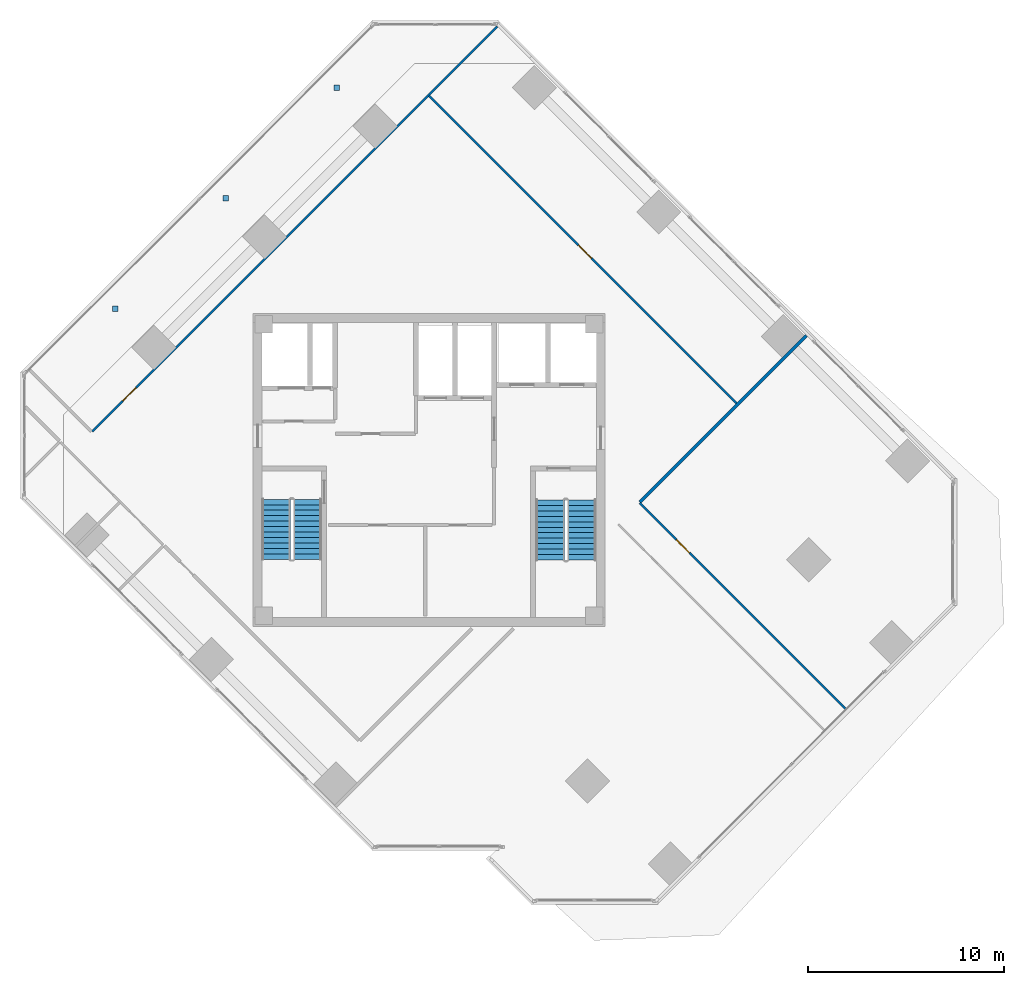
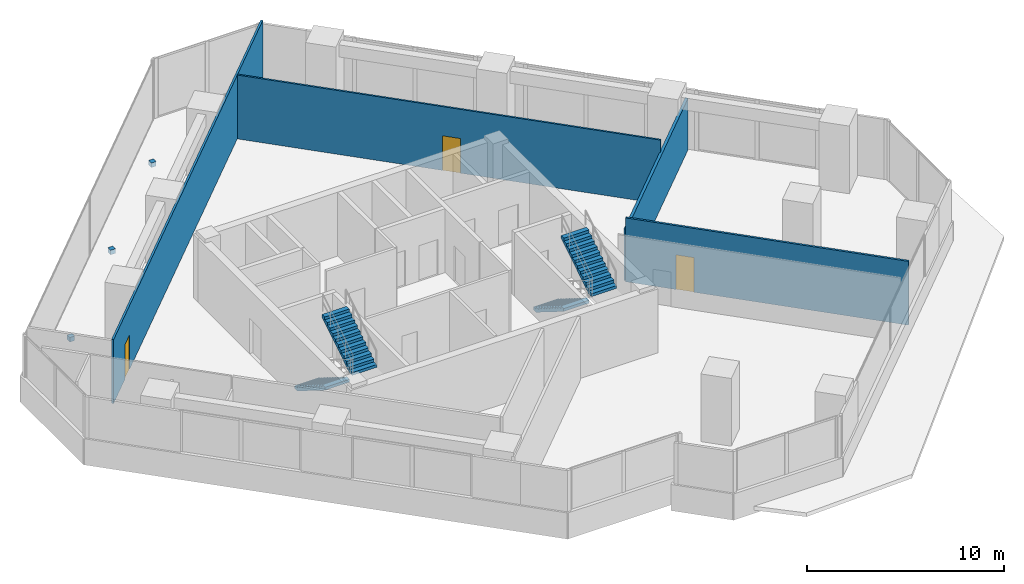
# One storey, part 14 of 17: 4 stair flights, 4 walls, 3 discrete accessories, 3 doors, 3 openings, 2 elements without a shape of their own.
"""IFC4 building model written with IfcOpenShell, lengths in metres."""

from ifc_helpers import new_model, si_unit, direction, frame, frame_2d, origin, origin_2d, place, context, subcontext, project, spatial, polyline, rectangle, outline, extrude, source, transform, mapped, material, layer, layer_set, type_object, element, fill, aggregate, save


model = new_model("IFC4")

# Units and contexts
model_context = context("Model", 3, precision=1e-05, world=origin(), true_north=direction((0.0, 1.0)))
body_context = subcontext(model_context, "Body", "Model", "MODEL_VIEW")
ifc_project = project(units=[si_unit("LENGTHUNIT", "METRE"), si_unit("AREAUNIT", "SQUARE_METRE"), si_unit("VOLUMEUNIT", "CUBIC_METRE"), si_unit("PLANEANGLEUNIT", "RADIAN"), si_unit("MASSUNIT", "GRAM", prefix="KILO")], contexts=[model_context])

# Site, building, storey
site_placement = place(None, origin())
site = spatial("IfcSite", under=ifc_project, at=site_placement, CompositionType="ELEMENT")
building_placement = place(site_placement, origin())
building = spatial("IfcBuilding", under=site, at=building_placement, Name="Torre Montelarca", CompositionType="ELEMENT")
storey_placement = place(building_placement, frame((0.0, 0.0, 241.60009765625)))
storey = spatial("IfcBuildingStorey", under=building, at=storey_placement, Name="L54", CompositionType="ELEMENT", Elevation=241.60009765625)

# Wall
ifc_material_1 = material(Name="Gypsum plasterboard on steel stud", Category="steel")
ifc_layer_1 = layer(ifc_material_1, 0.159912109375, Name="Gypsum plasterboard on steel stud", Category="steel")
ifc_layer_set_1 = layer_set([ifc_layer_1], Name="Gypsum plasterboard on steel stud")
wall_type_1 = type_object("IfcWallType", Name="PW-FIRE-160", PredefinedType="PARTITIONING", material=ifc_layer_set_1)
wall_1_placement = place(storey_placement, frame((28.76904296875, 30.359619140625, 0.0), z_axis=(0.0, 0.0, 1.0), x_axis=(0.707116919863, 0.707096642365, 0.0)))
element("IfcWall", 1, at=wall_1_placement, inside=storey, type_object=wall_type_1, Name="L54 Interior Partition W-L54-ECN", PredefinedType="PARTITIONING", context=body_context, shape_type="SweptSolid", body=[
    extrude(rectangle(XDim=12.0400390625, YDim=0.159912109375, at=frame_2d((6.02001953125, 0.0))), origin(), (0.0, 0.0, 1.0), 3.19482421875),
])

# Wall, opening, door
ifc_material_2 = material(Name="Acoustic laminated glass partition", Category="glass")
ifc_layer_2 = layer(ifc_material_2, 0.10009765625, Name="Acoustic laminated glass partition", Category="glass")
ifc_layer_set_2 = layer_set([ifc_layer_2], Name="Acoustic laminated glass partition")
wall_type_2 = type_object("IfcWallType", Name="PW-GLAZ-100", PredefinedType="PARTITIONING", material=ifc_layer_set_2)
wall_2_placement = place(storey_placement, frame((17.992919921875, 51.13427734375, 0.0), z_axis=(0.0, 0.0, 1.0), x_axis=(0.707106781187, -0.707106781187, 0.0)))
wall_2 = element("IfcWall", 2, at=wall_2_placement, inside=storey, type_object=wall_type_2, Name="L54 Interior Partition W-L54-NBOT", PredefinedType="PARTITIONING", context=body_context, shape_type="SweptSolid", body=[
    extrude(rectangle(XDim=22.269775390625, YDim=0.10009765625, at=frame_2d((11.134765625, 0.0))), origin(), (0.0, 0.0, 1.0), 3.9599609375),
])
opening_1_placement = place(wall_2_placement, frame((10.800048828125, 0.0, 0.0)))
opening_1 = element("IfcOpeningElement", 3, at=opening_1_placement, cuts=wall_2, Name="Opening ID-095", PredefinedType="OPENING", context=body_context, shape_type="SweptSolid", body=[
    extrude(rectangle(XDim=0.949951171875, YDim=2.14990234375, at=frame_2d((0.47509765625, 1.074951171875))), frame((0.0, 0.06005859375, 0.0), z_axis=(0.0, -1.0, 0.0), x_axis=(1.0, 0.0, 0.0)), (0.0, 0.0, 1.0), 0.1201171875),
])
ifc_material_3 = material(Name="Hardwood acoustic timber veneer", Category="wood")
door_type = type_object("IfcDoorType", Name="DR-INT-095", OperationType="NOTDEFINED", PredefinedType="DOOR", material=ifc_material_3)
shared_shape_1 = source(origin(), body_context, "Body", "SweptSolid", [
    extrude(rectangle(XDim=0.949951171875, YDim=2.14990234375, at=frame_2d((0.47509765625, 1.074951171875))), frame((0.0, 0.02490234375, 0.0), z_axis=(0.0, -1.0, 0.0), x_axis=(1.0, 0.0, 0.0)), (0.0, 0.0, 1.0), 0.050048828125),
])
door_1_placement = place(opening_1_placement, origin())
door_1 = element("IfcDoor", 4, at=door_1_placement, inside=storey, type_object=door_type, Name="L54 Interior Door 08", OperationType="SINGLE_SWING_LEFT", OverallHeight=2.14990234375, OverallWidth=0.949951171875, PredefinedType="DOOR", context=body_context, shape_type="MappedRepresentation", body=[
    mapped(shared_shape_1, transform((0.0, 0.0, 0.0), scale=1.0)),
])
fill(opening_1, door_1)

ifc_layer_3 = layer(ifc_material_1, 0.114990234375, Name="Gypsum plasterboard on steel stud", Category="steel")
ifc_layer_set_3 = layer_set([ifc_layer_3], Name="Gypsum plasterboard on steel stud")
wall_type_3 = type_object("IfcWallType", Name="PW-PART-115", PredefinedType="PARTITIONING", material=ifc_layer_set_3)
wall_3_placement = place(storey_placement, frame((0.774658203125, 33.972900390625, 0.0), z_axis=(0.0, 0.0, 1.0), x_axis=(0.707106781187, 0.707106781187, 0.0)))
wall_3 = element("IfcWall", 5, at=wall_3_placement, inside=storey, type_object=wall_type_3, Name="L54 Interior Partition W-L54-WWGE", PredefinedType="PARTITIONING", context=body_context, shape_type="SweptSolid", body=[
    extrude(rectangle(XDim=29.280029296875, YDim=0.114990234375, at=frame_2d((14.64013671875, 0.0))), origin(), (0.0, 0.0, 1.0), 3.9599609375),
])
opening_2_placement = place(wall_3_placement, frame((2.199951171875, 0.0, 0.0)))
opening_2 = element("IfcOpeningElement", 6, at=opening_2_placement, cuts=wall_3, Name="Opening ID-095", PredefinedType="OPENING", context=body_context, shape_type="SweptSolid", body=[
    extrude(rectangle(XDim=0.949951171875, YDim=2.14990234375, at=frame_2d((0.47509765625, 1.074951171875))), frame((0.0, 0.0673828125, 0.0), z_axis=(0.0, -1.0, 0.0), x_axis=(1.0, 0.0, 0.0)), (0.0, 0.0, 1.0), 0.135009765625),
])
door_2_placement = place(opening_2_placement, origin())
door_2 = element("IfcDoor", 7, at=door_2_placement, inside=storey, type_object=door_type, Name="L54 Interior Door 09", OperationType="SINGLE_SWING_LEFT", OverallHeight=2.14990234375, OverallWidth=0.949951171875, PredefinedType="DOOR", context=body_context, shape_type="MappedRepresentation", body=[
    mapped(shared_shape_1, transform((0.0, 0.0, 0.0), scale=1.0)),
])
fill(opening_2, door_2)

wall_4_placement = place(storey_placement, frame((28.76904296875, 30.302978515625, 0.0), z_axis=(0.0, 0.0, 1.0), x_axis=(0.707106781187, -0.707106781187, 0.0)))
wall_4 = element("IfcWall", 8, at=wall_4_placement, inside=storey, type_object=wall_type_3, Name="L54 Interior Partition W-L54-NE-S", PredefinedType="PARTITIONING", context=body_context, shape_type="SweptSolid", body=[
    extrude(rectangle(XDim=14.8798828125, YDim=0.114990234375, at=frame_2d((7.43994140625, 0.0))), origin(), (0.0, 0.0, 1.0), 3.9599609375),
])
opening_3_placement = place(wall_4_placement, frame((2.64990234375, 0.0, 0.0)))
opening_3 = element("IfcOpeningElement", 9, at=opening_3_placement, cuts=wall_4, Name="Opening ID-095", PredefinedType="OPENING", context=body_context, shape_type="SweptSolid", body=[
    extrude(rectangle(XDim=0.949951171875, YDim=2.14990234375, at=frame_2d((0.47509765625, 1.074951171875))), frame((0.0, 0.0673828125, 0.0), z_axis=(0.0, -1.0, 0.0), x_axis=(1.0, 0.0, 0.0)), (0.0, 0.0, 1.0), 0.135009765625),
])
door_3_placement = place(opening_3_placement, origin())
door_3 = element("IfcDoor", 10, at=door_3_placement, inside=storey, type_object=door_type, Name="L54 Interior Door 10", OperationType="SINGLE_SWING_LEFT", OverallHeight=2.14990234375, OverallWidth=0.949951171875, PredefinedType="DOOR", context=body_context, shape_type="MappedRepresentation", body=[
    mapped(shared_shape_1, transform((0.0, 0.0, 0.0), scale=1.0)),
])
fill(opening_3, door_3)

# Stair, stair flights
ifc_material_4 = material(Name="Concrete C40/50", Category="concrete")
stair_type_1 = type_object("IfcStairType", Name="ST-CORE-ST1", PredefinedType="HALF_TURN_STAIR", material=ifc_material_4)
stair_1_placement = place(storey_placement, origin())
stair_1 = element("IfcStair", 11, at=stair_1_placement, inside=storey, type_object=stair_type_1, Name="L54 Protected Exit Stair ST1", PredefinedType="HALF_TURN_STAIR")
stair_flight_type_1 = type_object("IfcStairFlightType", Name="SFL-CORE-ST1", PredefinedType="STRAIGHT", material=ifc_material_4)
stair_flight_1_placement = place(storey_placement, frame((10.175048828125, 30.5, 0.0), z_axis=(0.0, 0.0, 1.0), x_axis=(0.0, -1.0, 0.0)))
stair_flight_1 = element("IfcStairFlight", 12, at=stair_flight_1_placement, type_object=stair_flight_type_1, Name="ST1 flight 1", NumberOfRisers=12, NumberOfTreads=11, PredefinedType="STRAIGHT", RiserHeight=0.175, TreadLength=0.28, context=body_context, shape_type="SweptSolid", body=[
    extrude(outline(polyline([(0.0, 0.0), (0.0, 0.175048828125), (0.280029296875, 0.175048828125), (0.280029296875, 0.35009765625), (0.56005859375, 0.35009765625), (0.56005859375, 0.52490234375), (0.840087890625, 0.52490234375), (0.840087890625, 0.699951171875), (1.1201171875, 0.699951171875), (1.1201171875, 0.875), (1.39990234375, 0.875), (1.39990234375, 1.050048828125), (1.679931640625, 1.050048828125), (1.679931640625, 1.22509765625), (1.9599609375, 1.22509765625), (1.9599609375, 1.39990234375), (2.239990234375, 1.39990234375), (2.239990234375, 1.574951171875), (2.52001953125, 1.574951171875), (2.52001953125, 1.75), (2.800048828125, 1.75), (2.800048828125, 1.925048828125), (3.080078125, 1.925048828125), (3.080078125, 2.10009765625), (3.080078125, 1.748291015625), (0.28271484375, 0.0), (0.0, 0.0)])), frame((0.0, 0.72509765625, 0.0), z_axis=(0.0, -1.0, 0.0), x_axis=(1.0, 0.0, 0.0)), (0.0, 0.0, 1.0), 1.449951171875),
])
stair_flight_2_placement = place(storey_placement, frame((11.77490234375, 27.419921875, 2.099853515625), z_axis=(0.0, 0.0, 1.0), x_axis=(0.0, 1.0, 0.0)))
stair_flight_2 = element("IfcStairFlight", 13, at=stair_flight_2_placement, type_object=stair_flight_type_1, Name="ST1 flight 2", NumberOfRisers=12, NumberOfTreads=11, PredefinedType="STRAIGHT", RiserHeight=0.175, TreadLength=0.28, context=body_context, shape_type="SweptSolid", body=[
    extrude(outline(polyline([(0.0, 0.0), (0.0, 0.175048828125), (0.280029296875, 0.175048828125), (0.280029296875, 0.35009765625), (0.56005859375, 0.35009765625), (0.56005859375, 0.52490234375), (0.840087890625, 0.52490234375), (0.840087890625, 0.699951171875), (1.1201171875, 0.699951171875), (1.1201171875, 0.875), (1.39990234375, 0.875), (1.39990234375, 1.050048828125), (1.679931640625, 1.050048828125), (1.679931640625, 1.22509765625), (1.9599609375, 1.22509765625), (1.9599609375, 1.39990234375), (2.239990234375, 1.39990234375), (2.239990234375, 1.574951171875), (2.52001953125, 1.574951171875), (2.52001953125, 1.75), (2.800048828125, 1.75), (2.800048828125, 1.925048828125), (3.080078125, 1.925048828125), (3.080078125, 2.10009765625), (3.080078125, 1.748291015625), (0.28271484375, 0.0), (0.0, 0.0)])), frame((0.0, 0.72509765625, 0.0), z_axis=(0.0, -1.0, 0.0), x_axis=(1.0, 0.0, 0.0)), (0.0, 0.0, 1.0), 1.449951171875),
])
aggregate(stair_1, [stair_flight_1, stair_flight_2])

stair_type_2 = type_object("IfcStairType", Name="ST-CORE-ST2", PredefinedType="HALF_TURN_STAIR", material=ifc_material_4)
stair_2_placement = place(storey_placement, origin())
stair_2 = element("IfcStair", 14, at=stair_2_placement, inside=storey, type_object=stair_type_2, Name="L54 Protected Exit Stair ST2", PredefinedType="HALF_TURN_STAIR")
stair_flight_type_2 = type_object("IfcStairFlightType", Name="SFL-CORE-ST2", PredefinedType="STRAIGHT", material=ifc_material_4)
stair_flight_3_placement = place(storey_placement, frame((24.179931640625, 30.469970703125, 0.0), z_axis=(0.0, 0.0, 1.0), x_axis=(0.0, -1.0, 0.0)))
stair_flight_3 = element("IfcStairFlight", 15, at=stair_flight_3_placement, type_object=stair_flight_type_2, Name="ST2 flight 1", NumberOfRisers=12, NumberOfTreads=11, PredefinedType="STRAIGHT", RiserHeight=0.175, TreadLength=0.28, context=body_context, shape_type="SweptSolid", body=[
    extrude(outline(polyline([(0.0, 0.0), (0.0, 0.175048828125), (0.280029296875, 0.175048828125), (0.280029296875, 0.35009765625), (0.56005859375, 0.35009765625), (0.56005859375, 0.52490234375), (0.840087890625, 0.52490234375), (0.840087890625, 0.699951171875), (1.1201171875, 0.699951171875), (1.1201171875, 0.875), (1.39990234375, 0.875), (1.39990234375, 1.050048828125), (1.679931640625, 1.050048828125), (1.679931640625, 1.22509765625), (1.9599609375, 1.22509765625), (1.9599609375, 1.39990234375), (2.239990234375, 1.39990234375), (2.239990234375, 1.574951171875), (2.52001953125, 1.574951171875), (2.52001953125, 1.75), (2.800048828125, 1.75), (2.800048828125, 1.925048828125), (3.080078125, 1.925048828125), (3.080078125, 2.10009765625), (3.080078125, 1.748291015625), (0.28271484375, 0.0), (0.0, 0.0)])), frame((0.0, 0.739990234375, 0.0), z_axis=(0.0, -1.0, 0.0), x_axis=(1.0, 0.0, 0.0)), (0.0, 0.0, 1.0), 1.47998046875),
])
stair_flight_4_placement = place(storey_placement, frame((25.81005859375, 27.389892578125, 2.099853515625), z_axis=(0.0, 0.0, 1.0), x_axis=(0.0, 1.0, 0.0)))
stair_flight_4 = element("IfcStairFlight", 16, at=stair_flight_4_placement, type_object=stair_flight_type_2, Name="ST2 flight 2", NumberOfRisers=12, NumberOfTreads=11, PredefinedType="STRAIGHT", RiserHeight=0.175, TreadLength=0.28, context=body_context, shape_type="SweptSolid", body=[
    extrude(outline(polyline([(0.0, 0.0), (0.0, 0.175048828125), (0.280029296875, 0.175048828125), (0.280029296875, 0.35009765625), (0.56005859375, 0.35009765625), (0.56005859375, 0.52490234375), (0.840087890625, 0.52490234375), (0.840087890625, 0.699951171875), (1.1201171875, 0.699951171875), (1.1201171875, 0.875), (1.39990234375, 0.875), (1.39990234375, 1.050048828125), (1.679931640625, 1.050048828125), (1.679931640625, 1.22509765625), (1.9599609375, 1.22509765625), (1.9599609375, 1.39990234375), (2.239990234375, 1.39990234375), (2.239990234375, 1.574951171875), (2.52001953125, 1.574951171875), (2.52001953125, 1.75), (2.800048828125, 1.75), (2.800048828125, 1.925048828125), (3.080078125, 1.925048828125), (3.080078125, 2.10009765625), (3.080078125, 1.748291015625), (0.28271484375, 0.0), (0.0, 0.0)])), frame((0.0, 0.739990234375, 0.0), z_axis=(0.0, -1.0, 0.0), x_axis=(1.0, 0.0, 0.0)), (0.0, 0.0, 1.0), 1.47998046875),
])
aggregate(stair_2, [stair_flight_3, stair_flight_4])

# Discrete accessories
ifc_material_5 = material(Name="Stainless steel AISI 316", Category="steel")
discrete_accessory_type = type_object("IfcDiscreteAccessoryType", Name="ACC-BRACKET-SS", PredefinedType="BRACKET", material=ifc_material_5)
shared_shape_2 = source(origin(), body_context, "Body", "SweptSolid", [
    extrude(rectangle(XDim=0.280029296875, YDim=0.280029296875, at=origin_2d()), origin(), (0.0, 0.0, 1.0), 0.280029296875),
])
for number, where, z_axis, x_axis, name in (
    (17, (1.948486328125, 40.23779296875, -0.2802734375), (0.0, 0.0, 1.0), (1.0, 0.0, 0.0), "L54 Raker End Connection Bracket W1-HD"),
    (18, (7.60546875, 45.89453125, -0.2802734375), (0.0, 0.0, 1.0), (1.0, 0.0, 0.0), "L54 Raker End Connection Bracket W2-HD"),
    (19, (13.26220703125, 51.551513671875, -0.2802734375), (0.0, 0.0, 1.0), (1.0, 0.0, 0.0), "L54 Raker End Connection Bracket W3-HD"),
):
    element("IfcDiscreteAccessory", number, at=place(storey_placement, frame(where, z_axis=z_axis, x_axis=x_axis)), inside=storey, type_object=discrete_accessory_type, Name=name, PredefinedType="BRACKET", context=body_context, shape_type="MappedRepresentation", body=[
        mapped(shared_shape_2, transform((0.0, 0.0, 0.0), scale=1.0)),
    ])

save(model, "model.ifc")
